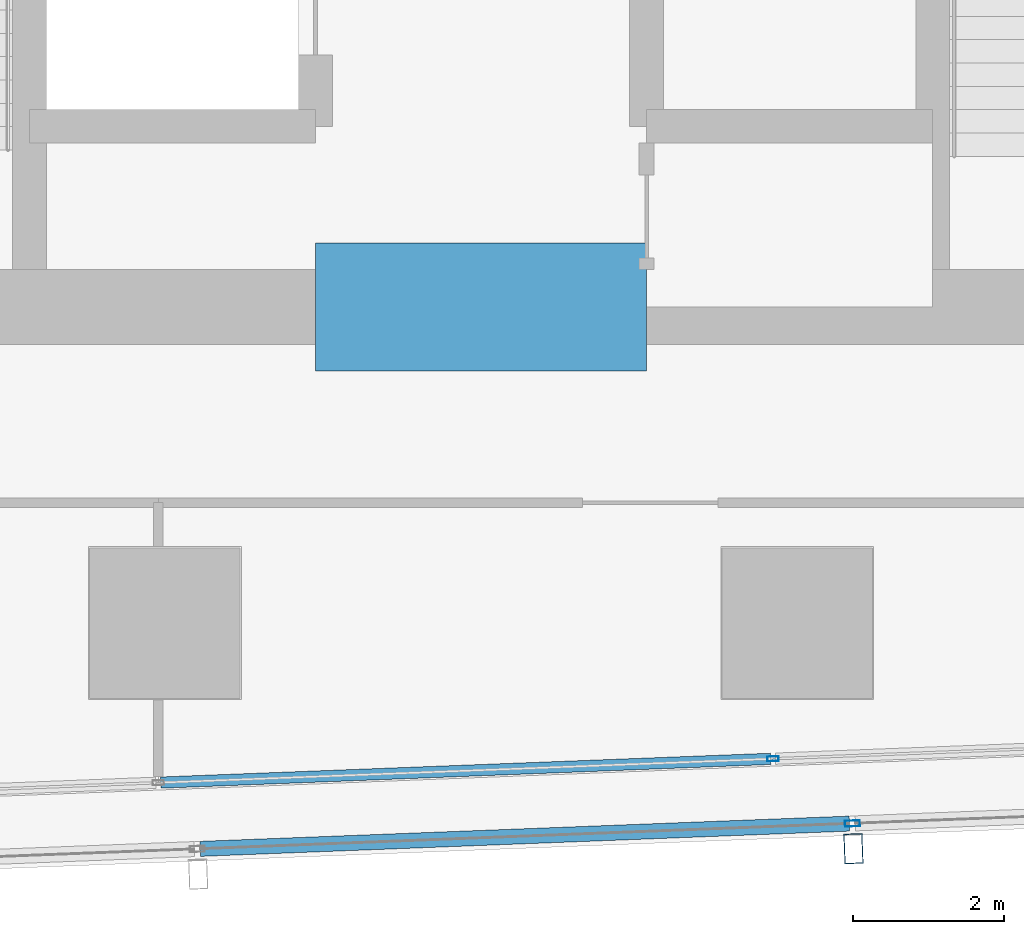
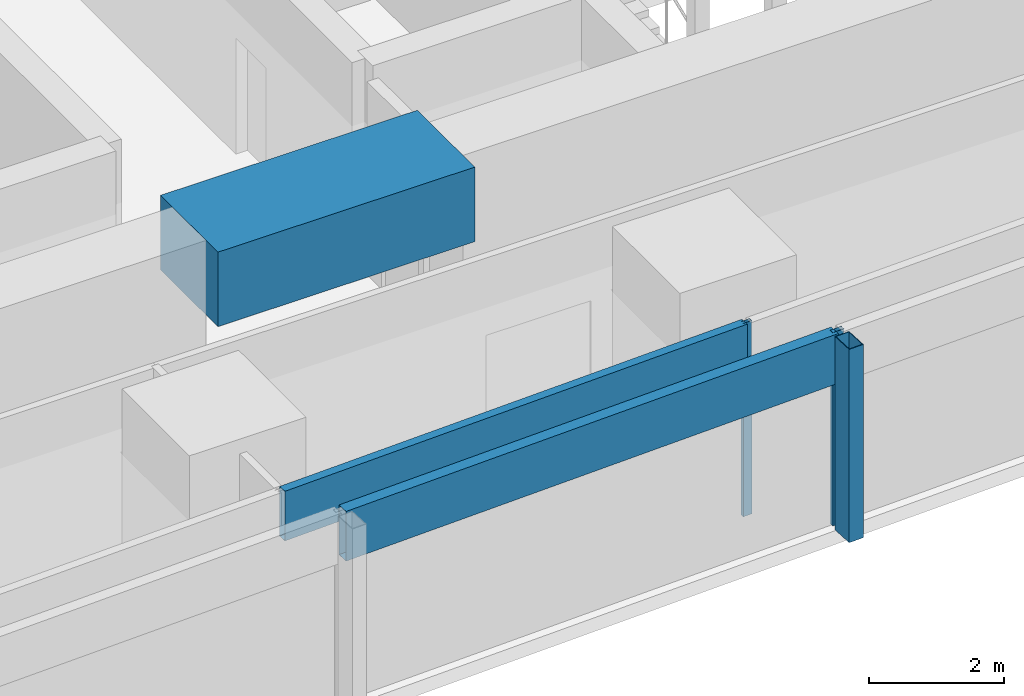
# One storey, part 9 of 39: 5 members, 1 beam, 2 elements without a shape of their own.
"""IFC4 building model written with IfcOpenShell, lengths in metres."""

import ifcopenshell
import ifcopenshell.guid

model = None  # the IFC model being written
_history = None  # IfcOwnerHistory: only IFC2X3 demands one
_inside = {}  # id of a spatial element -> (the spatial element, [elements in it])
_under = {}  # id of a project, library or spatial element -> (it, [spatial elements below it])
_declared = {}  # id of a project -> (the project, [libraries it declares])
_typed = {}  # id of a type object -> (the type object, [elements of that type])
_made_of = {}  # id of a material, layer set ... -> (it, [elements and type objects made of it])


def new_model(schema):
    """Start an empty IFC model of exactly this schema.

    Asked for "IFC4X3", IfcOpenShell would pick the latest addendum, in which some entities
    have other attributes; the version numbers below select the first issue.
    IFC2X3 requires an IfcOwnerHistory on every rooted entity: one is made here for all.
    """
    global model, _history
    if schema == "IFC4X3":
        model = ifcopenshell.file(schema_version=(4, 3, 0, 0))
    else:
        model = ifcopenshell.file(schema=schema)
    _inside.clear()
    _under.clear()
    _declared.clear()
    _typed.clear()
    _made_of.clear()
    _history = None
    if model.schema == "IFC2X3":
        org = make("IfcOrganization", Name="unknown")
        user = make(
            "IfcPersonAndOrganization",
            ThePerson=make("IfcPerson", FamilyName="unknown"),
            TheOrganization=org,
        )
        app = make(
            "IfcApplication",
            ApplicationDeveloper=org,
            Version="unknown",
            ApplicationFullName="unknown",
            ApplicationIdentifier="unknown",
        )
        _history = make(
            "IfcOwnerHistory",
            OwningUser=user,
            OwningApplication=app,
            ChangeAction="ADDED",
            CreationDate=0,
        )
    return model


def make(cls, **values):
    """One entity of the class cls with the attributes given. An attribute that is None is left unset."""
    return model.create_entity(
        cls, **{name: value for name, value in values.items() if value is not None}
    )


def rooted(cls, **values):
    """An entity with a GlobalId (a new one), such as an element, a storey or a relation."""
    return make(cls, GlobalId=ifcopenshell.guid.new(), OwnerHistory=_history, **values)


def si_unit(unit_type, name, prefix=None):
    """IfcSIUnit, for example si_unit("LENGTHUNIT", "METRE", prefix="MILLI")."""
    return make("IfcSIUnit", UnitType=unit_type, Prefix=prefix, Name=name)


def assignment(units):
    """IfcUnitAssignment: the units of a project."""
    return None if units is None else make("IfcUnitAssignment", Units=units)


def point(xyz):
    """IfcCartesianPoint."""
    return None if xyz is None else make("IfcCartesianPoint", Coordinates=xyz)


def direction(xyz):
    """IfcDirection."""
    return None if xyz is None else make("IfcDirection", DirectionRatios=xyz)


def frame(location, z_axis=None, x_axis=None):
    """IfcAxis2Placement3D, a coordinate frame: its origin and axes. An axis left out is left unset."""
    return make(
        "IfcAxis2Placement3D",
        Location=point(location),
        Axis=direction(z_axis),
        RefDirection=direction(x_axis),
    )


def frame_2d(location, x_axis=None):
    """IfcAxis2Placement2D, a coordinate frame in the plane: its origin and x axis."""
    return make(
        "IfcAxis2Placement2D", Location=point(location), RefDirection=direction(x_axis)
    )


def origin():
    """The frame at (0, 0, 0) with its axes left unset."""
    return frame((0.0, 0.0, 0.0))


def origin_2d():
    """The frame at (0, 0) in the plane with its x axis left unset."""
    return frame_2d((0.0, 0.0))


def place(relative_to, where):
    """IfcLocalPlacement: puts the frame where relative to a parent placement (None: the world)."""
    return make(
        "IfcLocalPlacement", PlacementRelTo=relative_to, RelativePlacement=where
    )


def context(
    kind, dimensions, precision=None, world=None, true_north=None, identifier=None
):
    """IfcGeometricRepresentationContext, for example the 3D "Model" context."""
    return make(
        "IfcGeometricRepresentationContext",
        ContextIdentifier=identifier,
        ContextType=kind,
        CoordinateSpaceDimension=dimensions,
        Precision=precision,
        WorldCoordinateSystem=world,
        TrueNorth=true_north,
    )


def subcontext(parent, identifier, kind, view, scale=None):
    """IfcGeometricRepresentationSubContext, for example "Body" below "Model"."""
    return make(
        "IfcGeometricRepresentationSubContext",
        ContextIdentifier=identifier,
        ContextType=kind,
        ParentContext=parent,
        TargetScale=scale,
        TargetView=view,
    )


def project(units=None, contexts=None):
    """IfcProject with its units and contexts."""
    return rooted(
        "IfcProject",
        Name="project",
        RepresentationContexts=contexts,
        UnitsInContext=assignment(units),
    )


def spatial(cls, under=None, at=None, **own):
    """A site, building, storey or space (cls), placed at a placement, below another one or the project."""
    s = rooted(cls, ObjectPlacement=at, **own)
    if under is not None:
        _under.setdefault(under.id(), (under, []))[1].append(s)
    return s


def profile(cls, at=None, kind="AREA", **sizes):
    """A parametric profile (cls). Its sizes go by their IFC names, for example OverallWidth=200.0."""
    return make(cls, ProfileType=kind, Position=at, **sizes)


def rectangle(**sizes):
    """IfcRectangleProfileDef."""
    return profile("IfcRectangleProfileDef", **sizes)


def hollow_rectangle(**sizes):
    """IfcRectangleHollowProfileDef."""
    return profile("IfcRectangleHollowProfileDef", **sizes)


def extrude(swept, where, along, depth):
    """IfcExtrudedAreaSolid: the profile swept, set in the frame where, extruded along a direction by depth."""
    return make(
        "IfcExtrudedAreaSolid",
        SweptArea=swept,
        Position=where,
        ExtrudedDirection=direction(along),
        Depth=depth,
    )


def shape(context_of_items, identifier, shape_type, items):
    """IfcShapeRepresentation: the items that make up one representation, for example the "Body"."""
    return make(
        "IfcShapeRepresentation",
        ContextOfItems=context_of_items,
        RepresentationIdentifier=identifier,
        RepresentationType=shape_type,
        Items=items,
    )


def material(Name=None, Category=None):
    """IfcMaterial."""
    return make("IfcMaterial", Name=Name, Category=Category)


def material_profile(
    of_material, cross_section, Name=None, Category=None, Priority=None
):
    """IfcMaterialProfile: a cross section and its material."""
    return make(
        "IfcMaterialProfile",
        Name=Name,
        Material=of_material,
        Profile=cross_section,
        Priority=Priority,
        Category=Category,
    )


def profile_set(profiles, Name=None, composite=None):
    """IfcMaterialProfileSet."""
    return make(
        "IfcMaterialProfileSet",
        Name=Name,
        MaterialProfiles=profiles,
        CompositeProfile=composite,
    )


def made_of(thing, what):
    """Note that an element or type object is made of a material, layer set ...; save() writes the relation."""
    if what is not None:
        _made_of.setdefault(what.id(), (what, []))[1].append(thing)
    return thing


def type_object(cls, material=None, **own):
    """A type object (cls), such as IfcWallType, which elements share."""
    return made_of(rooted(cls, **own), material)


def element(
    cls,
    number,
    at=None,
    inside=None,
    cuts=None,
    type_object=None,
    material=None,
    context=None,
    identifier="Body",
    shape_type=None,
    held_by="IfcProductDefinitionShape",
    body=None,
    shapes=None,
    **own,
):
    """One element of the class cls, such as IfcWall. Its Tag is "e" and its number.

    at: its placement. inside: the storey or other place that contains it. cuts: it is an
    opening in that element (IfcRelVoidsElement). A single representation is given by context,
    identifier, shape_type and body (its items); several are given by shapes. held_by: the class
    of the entity that holds the representations. save() writes the other relations.
    """
    e = rooted(cls, Tag="e%d" % number, ObjectPlacement=at, **own)
    if body is not None:
        shapes = [shape(context, identifier, shape_type, body)]
    if shapes is not None:
        e.Representation = make(held_by, Representations=shapes)
    if inside is not None:
        _inside.setdefault(inside.id(), (inside, []))[1].append(e)
    if cuts is not None:
        rooted(
            "IfcRelVoidsElement", RelatingBuildingElement=cuts, RelatedOpeningElement=e
        )
    if type_object is not None:
        _typed.setdefault(type_object.id(), (type_object, []))[1].append(e)
    return made_of(e, material)


def aggregate(whole, parts):
    """IfcRelAggregates: a whole, such as a stair, and the parts it consists of."""
    return rooted("IfcRelAggregates", RelatingObject=whole, RelatedObjects=parts)


def save(model, path):
    """Write the relations noted so far, then the file.

    IfcRelAggregates (storeys below a building ...), IfcRelContainedInSpatialStructure (elements
    in a storey), IfcRelDefinesByType, IfcRelAssociatesMaterial and IfcRelDeclares: one each for
    every whole, place, type object, material and project.
    """
    for whole, parts in _under.values():
        aggregate(whole, parts)
    for where, things in _inside.values():
        rooted(
            "IfcRelContainedInSpatialStructure",
            RelatedElements=things,
            RelatingStructure=where,
        )
    for kind, things in _typed.values():
        rooted("IfcRelDefinesByType", RelatedObjects=things, RelatingType=kind)
    for what, things in _made_of.values():
        rooted("IfcRelAssociatesMaterial", RelatedObjects=things, RelatingMaterial=what)
    for by, libraries in _declared.values():
        rooted("IfcRelDeclares", RelatingContext=by, RelatedDefinitions=libraries)
    model.write(path)


model = new_model("IFC4")

# Units and contexts
model_context = context("Model", 3, precision=1e-05, world=origin(), true_north=direction((0.0, 1.0)))
body_context = subcontext(model_context, "Body", "Model", "MODEL_VIEW")
ifc_project = project(units=[si_unit("LENGTHUNIT", "METRE"), si_unit("AREAUNIT", "SQUARE_METRE"), si_unit("VOLUMEUNIT", "CUBIC_METRE"), si_unit("PLANEANGLEUNIT", "RADIAN"), si_unit("MASSUNIT", "GRAM", prefix="KILO")], contexts=[model_context])

# Site, building, storey
site_placement = place(None, origin())
site = spatial("IfcSite", under=ifc_project, at=site_placement, CompositionType="ELEMENT")
building_placement = place(site_placement, origin())
building = spatial("IfcBuilding", under=site, at=building_placement, Name="Rekha Terrace Tower", CompositionType="ELEMENT")
storey_placement = place(building_placement, frame((0.0, 0.0, 147.800048828125)))
storey = spatial("IfcBuildingStorey", under=building, at=storey_placement, Name="L37", CompositionType="ELEMENT", Elevation=147.800048828125)

# Curtain wall, member
ifc_material_1 = material(Name="Aluminium framing", Category="aluminium")
curtain_wall_type_1 = type_object("IfcCurtainWallType", Name="CW2 double skin outer glazing", PredefinedType="USERDEFINED", material=ifc_material_1)
curtain_wall_1_placement = place(storey_placement, origin())
curtain_wall_1 = element("IfcCurtainWall", 1, at=curtain_wall_1_placement, inside=storey, type_object=curtain_wall_type_1, Name="CW2 double skin outer glazing", ObjectType="DOUBLE SKIN OUTER GLAZING", PredefinedType="USERDEFINED")
ifc_material_2 = material(Name="Steel S355 with fluorocarbon finish", Category="steel")
ifc_material_profile_1 = material_profile(ifc_material_2, hollow_rectangle(XDim=0.25, YDim=0.39990234375, WallThickness=0.012451171875, at=origin_2d()), Name="RHS400x250x12.5")
ifc_profile_set_1 = profile_set([ifc_material_profile_1], Name="Steel S355 with fluorocarbon finish")
member_type_1 = type_object("IfcMemberType", Name="BL1 facade blade RHS 400 x 250", PredefinedType="USERDEFINED", material=ifc_profile_set_1)
member_1_placement = place(storey_placement, frame((42.747314453125, 13.802978515625, 0.0), z_axis=(0.0, 0.0, 1.0), x_axis=(0.999243494356, 0.038890088543, 0.0)))
member_1 = element("IfcMember", 2, at=member_1_placement, type_object=member_type_1, Name="Facade blade", ObjectType="FACADE BLADE", PredefinedType="USERDEFINED", context=body_context, shape_type="SweptSolid", body=[
    extrude(hollow_rectangle(XDim=0.25, YDim=0.39990234375, WallThickness=0.012451171875, at=origin_2d()), origin(), (0.0, 0.0, 1.0), 3.5),
])

# Curtain wall, members
curtain_wall_type_2 = type_object("IfcCurtainWallType", Name="CW1 double skin inner glazing", PredefinedType="USERDEFINED", material=ifc_material_1)
curtain_wall_2_placement = place(storey_placement, origin())
curtain_wall_2 = element("IfcCurtainWall", 3, at=curtain_wall_2_placement, inside=storey, type_object=curtain_wall_type_2, Name="CW1 double skin inner glazing", ObjectType="DOUBLE SKIN INNER GLAZING", PredefinedType="USERDEFINED")
ifc_material_3 = material(Name="Aluminium mullion section", Category="aluminium")
ifc_material_profile_2 = material_profile(ifc_material_3, hollow_rectangle(XDim=0.06494140625, YDim=0.14990234375, WallThickness=0.00390625, at=origin_2d()), Name="AL RHS 65x150")
ifc_profile_set_2 = profile_set([ifc_material_profile_2], Name="Aluminium mullion section")
member_type_2 = type_object("IfcMemberType", Name="CW1 mullion RHS 65 x 150", PredefinedType="MULLION", material=ifc_profile_set_2)
member_2_placement = place(storey_placement, frame((41.678955078125, 14.99755859375, 0.0), z_axis=(0.0, 0.0, 1.0), x_axis=(-0.038889971328, 0.999243498918, 0.0)))
member_2 = element("IfcMember", 4, at=member_2_placement, type_object=member_type_2, Name="CW1 mullion 3", PredefinedType="MULLION", context=body_context, shape_type="SweptSolid", body=[
    extrude(hollow_rectangle(XDim=0.06494140625, YDim=0.14990234375, WallThickness=0.00390625, at=origin_2d()), origin(), (0.0, 0.0, 1.0), 3.5),
])
ifc_material_4 = material(Name="Insulated aluminium spandrel box", Category="aluminium")
ifc_material_profile_3 = material_profile(ifc_material_4, hollow_rectangle(XDim=0.14990234375, YDim=0.89990234375, WallThickness=0.0029296875, at=origin_2d()), Name="AL SPANDREL BOX 150x900")
ifc_profile_set_3 = profile_set([ifc_material_profile_3], Name="Insulated aluminium spandrel box")
member_type_3 = type_object("IfcMemberType", Name="CW1 spandrel transom 150 x 900", PredefinedType="USERDEFINED", material=ifc_profile_set_3)
member_3_placement = place(storey_placement, frame((33.545654296875, 14.680908203125, 3.050048828125), z_axis=(0.999242779109, 0.038908461789, 0.0), x_axis=(-0.038908461789, 0.999242779109, 0.0)))
member_3 = element("IfcMember", 5, at=member_3_placement, type_object=member_type_3, Name="CW1 spandrel transom 2", ObjectType="TRANSOM", PredefinedType="USERDEFINED", context=body_context, shape_type="SweptSolid", body=[
    extrude(hollow_rectangle(XDim=0.14990234375, YDim=0.89990234375, WallThickness=0.0029296875, at=origin_2d()), origin(), (0.0, 0.0, 1.0), 8.10693359375),
])
aggregate(curtain_wall_2, [member_2, member_3])

# Member
ifc_material_profile_4 = material_profile(ifc_material_3, hollow_rectangle(XDim=0.080078125, YDim=0.199951171875, WallThickness=0.00390625, at=origin_2d()), Name="AL RHS 80x200")
ifc_profile_set_4 = profile_set([ifc_material_profile_4], Name="Aluminium mullion section")
member_type_4 = type_object("IfcMemberType", Name="CW2 mullion RHS 80 x 200", PredefinedType="MULLION", material=ifc_profile_set_4)
member_4_placement = place(storey_placement, frame((42.734130859375, 14.137939453125, 0.0), z_axis=(0.0, 0.0, 1.0), x_axis=(-0.038889971345, 0.999243498917, 0.0)))
member_4 = element("IfcMember", 6, at=member_4_placement, type_object=member_type_4, Name="CW2 mullion 3", PredefinedType="MULLION", context=body_context, shape_type="SweptSolid", body=[
    extrude(hollow_rectangle(XDim=0.080078125, YDim=0.199951171875, WallThickness=0.00390625, at=origin_2d()), origin(), (0.0, 0.0, 1.0), 3.5),
])

ifc_material_profile_5 = material_profile(ifc_material_4, hollow_rectangle(XDim=0.199951171875, YDim=0.89990234375, WallThickness=0.0029296875, at=origin_2d()), Name="AL SPANDREL BOX 200x900")
ifc_profile_set_5 = profile_set([ifc_material_profile_5], Name="Insulated aluminium spandrel box")
member_type_5 = type_object("IfcMemberType", Name="CW2 spandrel transom 200 x 900", PredefinedType="USERDEFINED", material=ifc_profile_set_5)
member_5_placement = place(storey_placement, frame((34.069091796875, 13.800537109375, 3.050048828125), z_axis=(0.999243438523, 0.038891523097, 0.0), x_axis=(-0.038891523097, 0.999243438523, 0.0)))
member_5 = element("IfcMember", 7, at=member_5_placement, type_object=member_type_5, Name="CW2 spandrel transom 2", ObjectType="TRANSOM", PredefinedType="USERDEFINED", context=body_context, shape_type="SweptSolid", body=[
    extrude(hollow_rectangle(XDim=0.199951171875, YDim=0.89990234375, WallThickness=0.0029296875, at=origin_2d()), origin(), (0.0, 0.0, 1.0), 8.631591796875),
])

aggregate(curtain_wall_1, [member_4, member_5, member_1])

# Beam
ifc_material_5 = material(Name="Concrete M70", Category="concrete")
ifc_material_profile_6 = material_profile(ifc_material_5, rectangle(XDim=1.699951171875, YDim=1.35009765625, at=origin_2d()), Name="RC 1700x1350")
ifc_profile_set_6 = profile_set([ifc_material_profile_6], Name="Concrete M70")
beam_type = type_object("IfcBeamType", Name="LB2A 1700x1350 diagonally reinforced coupling beam", PredefinedType="LINTEL", material=ifc_profile_set_6)
beam_placement = place(storey_placement, frame((35.60009765625, 21.0, 3.074951171875), z_axis=(1.0, 0.0, 0.0), x_axis=(0.0, 1.0, 0.0)))
element("IfcBeam", 8, at=beam_placement, inside=storey, type_object=beam_type, Name="Coupling beam LB2A S L37", PredefinedType="LINTEL", context=body_context, shape_type="SweptSolid", body=[
    extrude(rectangle(XDim=1.699951171875, YDim=1.35009765625, at=origin_2d()), origin(), (0.0, 0.0, 1.0), 4.39990234375),
])

save(model, "model.ifc")
